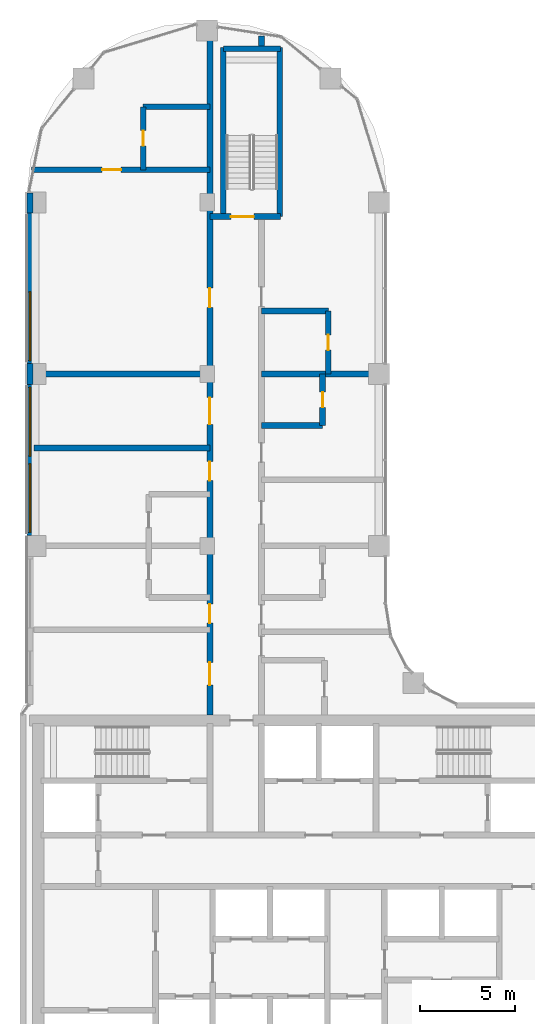
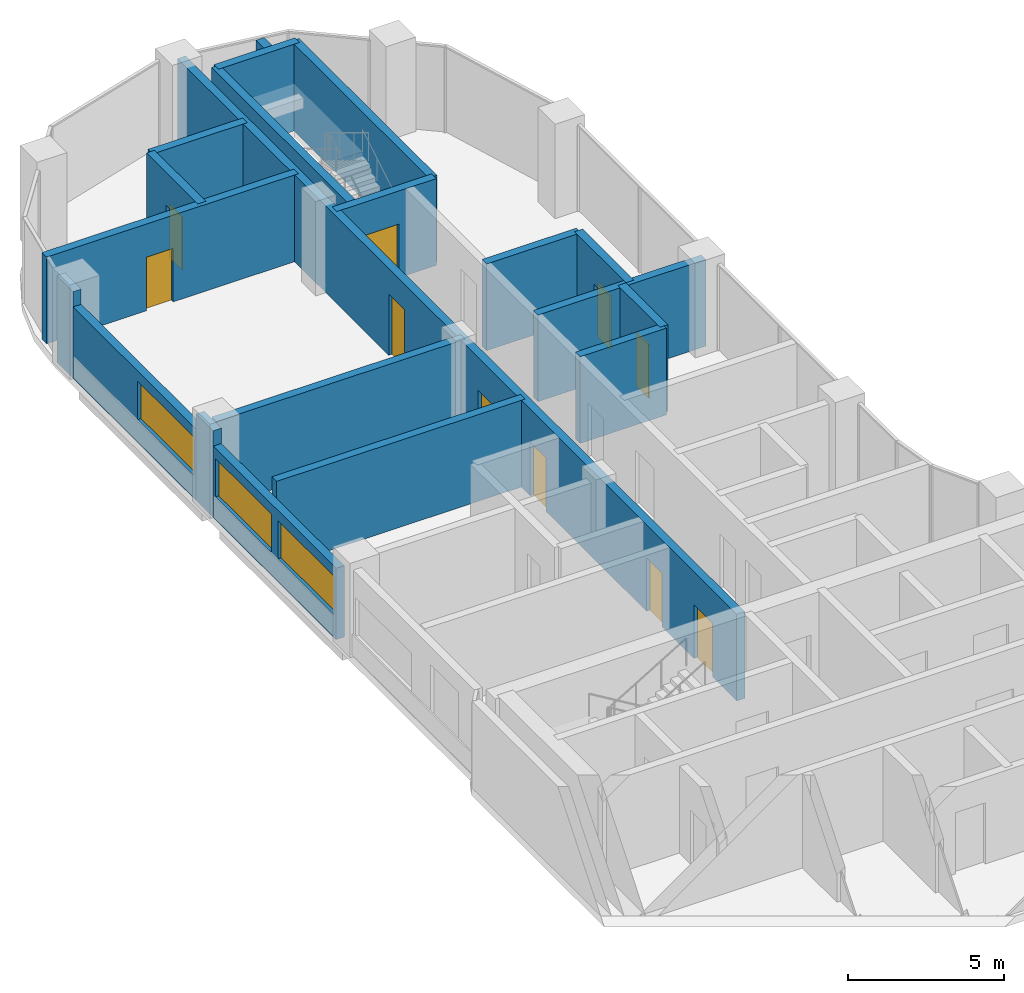
# One storey, part 13 of 21: 20 walls, 10 doors, 3 windows, 13 openings.
"""IFC4 building model written with IfcOpenShell, lengths in metres."""

from ifc_helpers import new_model, si_unit, direction, frame, frame_2d, origin, place, context, subcontext, project, spatial, rectangle, extrude, material, layer, layer_set, type_object, element, fill, save


model = new_model("IFC4")

# Units and contexts
model_context = context("Model", 3, precision=1e-05, world=origin(), true_north=direction((0.0, 1.0)))
body_context = subcontext(model_context, "Body", "Model", "MODEL_VIEW")
ifc_project = project(units=[si_unit("LENGTHUNIT", "METRE"), si_unit("AREAUNIT", "SQUARE_METRE"), si_unit("VOLUMEUNIT", "CUBIC_METRE"), si_unit("PLANEANGLEUNIT", "RADIAN"), si_unit("MASSUNIT", "GRAM", prefix="KILO")], contexts=[model_context])

# Site, building, storey
site_placement = place(None, origin())
site = spatial("IfcSite", under=ifc_project, at=site_placement, CompositionType="ELEMENT")
building_placement = place(site_placement, origin())
building = spatial("IfcBuilding", under=site, at=building_placement, Name="Ogive Portal Towers", CompositionType="ELEMENT")
storey_placement = place(building_placement, frame((0.0, 0.0, 157.0)))
storey = spatial("IfcBuildingStorey", under=building, at=storey_placement, Name="L38", CompositionType="ELEMENT", Elevation=157.0)

# Wall
ifc_material_1 = material(Name="Limestone cladding on lightweight block wall", Category="masonry")
ifc_layer_1 = layer(ifc_material_1, 0.300048828125)
ifc_layer_set_1 = layer_set([ifc_layer_1], Name="EXTERNAL WALL 300 STONE")
wall_type_1 = type_object("IfcWallType", Name="EXTERNAL WALL 300 STONE", PredefinedType="SOLIDWALL", material=ifc_layer_set_1)
wall_1_placement = place(storey_placement, frame((31.22509765625, 66.9921875, 0.0), z_axis=(0.0, 0.0, 1.0), x_axis=(0.0, -1.0, 0.0)))
element("IfcWall", 1, at=wall_1_placement, inside=storey, type_object=wall_type_1, Name="A:L38:f13:r0:wall", PredefinedType="SOLIDWALL", context=body_context, shape_type="SweptSolid", body=[
    extrude(rectangle(XDim=1.042236328125, YDim=0.300048828125, at=frame_2d((0.52099609375, 0.0))), origin(), (0.0, 0.0, 1.0), 3.39990234375),
])

# Wall, opening, window
wall_2_placement = place(storey_placement, frame((31.22509765625, 65.949951171875, 0.0), z_axis=(0.0, 0.0, 1.0), x_axis=(0.0, -1.0, 0.0)))
wall_2 = element("IfcWall", 2, at=wall_2_placement, inside=storey, type_object=wall_type_1, Name="A:L38:f13:r0:wall1", PredefinedType="SOLIDWALL", context=body_context, shape_type="SweptSolid", body=[
    extrude(rectangle(XDim=7.89990234375, YDim=0.300048828125, at=frame_2d((3.949951171875, 0.0))), origin(), (0.0, 0.0, 1.0), 2.800048828125),
])
opening_1_placement = place(wall_2_placement, frame((4.14990234375, 0.0, 0.89990234375)))
opening_1 = element("IfcOpeningElement", 3, at=opening_1_placement, cuts=wall_2, Name="Opening WN12", PredefinedType="OPENING", context=body_context, shape_type="SweptSolid", body=[
    extrude(rectangle(XDim=3.60009765625, YDim=1.5, at=frame_2d((1.800048828125, 0.75))), frame((0.0, 0.16015625, 0.0), z_axis=(0.0, -1.0, 0.0), x_axis=(1.0, 0.0, 0.0)), (0.0, 0.0, 1.0), 0.320068359375),
])
ifc_material_2 = material(Name="Glass, clear low-iron insulated glazing", Category="glass")
window_type = type_object("IfcWindowType", Name="WINDOW RIBBON 3600x1500", PartitioningType="TRIPLE_PANEL_VERTICAL", PredefinedType="WINDOW", material=ifc_material_2)
window_1_placement = place(opening_1_placement, origin())
window_1 = element("IfcWindow", 4, at=window_1_placement, inside=storey, type_object=window_type, Name="A:L38:f13:r0:w1", OverallHeight=1.5, OverallWidth=3.60009765625, PartitioningType="SINGLE_PANEL", PredefinedType="WINDOW", context=body_context, shape_type="SweptSolid", body=[
    extrude(rectangle(XDim=3.60009765625, YDim=1.5, at=frame_2d((1.800048828125, 0.75))), frame((0.0, 0.030029296875, 0.0), z_axis=(0.0, -1.0, 0.0), x_axis=(1.0, 0.0, 0.0)), (0.0, 0.0, 1.0), 0.06005859375),
])
fill(opening_1, window_1)

# Wall
wall_3_placement = place(storey_placement, frame((31.22509765625, 58.050048828125, 0.0), z_axis=(0.0, 0.0, 1.0), x_axis=(0.0, -1.0, 0.0)))
element("IfcWall", 5, at=wall_3_placement, inside=storey, type_object=wall_type_1, Name="A:L38:f13:r0:wall2", PredefinedType="SOLIDWALL", context=body_context, shape_type="SweptSolid", body=[
    extrude(rectangle(XDim=1.10009765625, YDim=0.300048828125, at=frame_2d((0.550048828125, 0.0))), origin(), (0.0, 0.0, 1.0), 3.39990234375),
])

# Wall, openings, windows
wall_4_placement = place(storey_placement, frame((31.22509765625, 56.949951171875, 0.0), z_axis=(0.0, 0.0, 1.0), x_axis=(0.0, -1.0, 0.0)))
wall_4 = element("IfcWall", 6, at=wall_4_placement, inside=storey, type_object=wall_type_1, Name="A:L38:f13:r0:wall3", PredefinedType="SOLIDWALL", context=body_context, shape_type="SweptSolid", body=[
    extrude(rectangle(XDim=7.89990234375, YDim=0.300048828125, at=frame_2d((3.949951171875, 0.0))), origin(), (0.0, 0.0, 1.0), 2.800048828125),
])
opening_2_placement = place(wall_4_placement, frame((0.14990234375, 0.0, 0.89990234375)))
opening_2 = element("IfcOpeningElement", 7, at=opening_2_placement, cuts=wall_4, Name="Opening WN12", PredefinedType="OPENING", context=body_context, shape_type="SweptSolid", body=[
    extrude(rectangle(XDim=3.60009765625, YDim=1.5, at=frame_2d((1.800048828125, 0.75))), frame((0.0, 0.16015625, 0.0), z_axis=(0.0, -1.0, 0.0), x_axis=(1.0, 0.0, 0.0)), (0.0, 0.0, 1.0), 0.320068359375),
])
opening_3_placement = place(wall_4_placement, frame((4.14990234375, 0.0, 0.89990234375)))
opening_3 = element("IfcOpeningElement", 8, at=opening_3_placement, cuts=wall_4, Name="Opening WN12", PredefinedType="OPENING", context=body_context, shape_type="SweptSolid", body=[
    extrude(rectangle(XDim=3.60009765625, YDim=1.5, at=frame_2d((1.800048828125, 0.75))), frame((0.0, 0.16015625, 0.0), z_axis=(0.0, -1.0, 0.0), x_axis=(1.0, 0.0, 0.0)), (0.0, 0.0, 1.0), 0.320068359375),
])
window_2_placement = place(opening_2_placement, origin())
window_2 = element("IfcWindow", 9, at=window_2_placement, inside=storey, type_object=window_type, Name="A:L38:f13:r0:w2", OverallHeight=1.5, OverallWidth=3.60009765625, PartitioningType="SINGLE_PANEL", PredefinedType="WINDOW", context=body_context, shape_type="SweptSolid", body=[
    extrude(rectangle(XDim=3.60009765625, YDim=1.5, at=frame_2d((1.800048828125, 0.75))), frame((0.0, 0.030029296875, 0.0), z_axis=(0.0, -1.0, 0.0), x_axis=(1.0, 0.0, 0.0)), (0.0, 0.0, 1.0), 0.06005859375),
])
fill(opening_2, window_2)
window_3_placement = place(opening_3_placement, origin())
window_3 = element("IfcWindow", 10, at=window_3_placement, inside=storey, type_object=window_type, Name="A:L38:f13:r0:w3", OverallHeight=1.5, OverallWidth=3.60009765625, PartitioningType="SINGLE_PANEL", PredefinedType="WINDOW", context=body_context, shape_type="SweptSolid", body=[
    extrude(rectangle(XDim=3.60009765625, YDim=1.5, at=frame_2d((1.800048828125, 0.75))), frame((0.0, 0.030029296875, 0.0), z_axis=(0.0, -1.0, 0.0), x_axis=(1.0, 0.0, 0.0)), (0.0, 0.0, 1.0), 0.06005859375),
])
fill(opening_3, window_3)

# Wall, opening, door
ifc_material_3 = material(Name="Concrete C50/60", Category="concrete")
ifc_layer_2 = layer(ifc_material_3, 0.300048828125)
ifc_layer_set_2 = layer_set([ifc_layer_2], Name="STAIR WALL 300 C50")
wall_type_2 = type_object("IfcWallType", Name="STAIR WALL 300 C50", PredefinedType="SHEAR", material=ifc_layer_set_2)
wall_5_placement = place(storey_placement, frame((40.64990234375, 65.75, 0.0), z_axis=(0.0, 0.0, 1.0), x_axis=(1.0, 0.0, 0.0)))
wall_5 = element("IfcWall", 11, at=wall_5_placement, inside=storey, type_object=wall_type_2, Name="Stair wall ST-A3 L38", PredefinedType="SHEAR", context=body_context, shape_type="SweptSolid", body=[
    extrude(rectangle(XDim=3.7001953125, YDim=0.300048828125, at=frame_2d((1.85009765625, 0.0))), origin(), (0.0, 0.0, 1.0), 3.39990234375),
])
opening_4_placement = place(wall_5_placement, frame((1.10009765625, 0.0, 0.0)))
opening_4 = element("IfcOpeningElement", 12, at=opening_4_placement, cuts=wall_5, Name="Opening D15-053", PredefinedType="OPENING", context=body_context, shape_type="SweptSolid", body=[
    extrude(rectangle(XDim=1.199951171875, YDim=2.10009765625, at=frame_2d((0.60009765625, 1.050048828125))), frame((0.0, 0.16015625, 0.0), z_axis=(0.0, -1.0, 0.0), x_axis=(1.0, 0.0, 0.0)), (0.0, 0.0, 1.0), 0.320068359375),
])
ifc_material_4 = material(Name="Steel fire door", Category="steel")
door_type_1 = type_object("IfcDoorType", Name="DT-STAIR-1200x2100-FD90S", OperationType="SINGLE_SWING_LEFT", PredefinedType="DOOR", material=ifc_material_4)
door_1_placement = place(opening_4_placement, origin())
door_1 = element("IfcDoor", 13, at=door_1_placement, inside=storey, type_object=door_type_1, Name="Door D15-053", OperationType="SINGLE_SWING_RIGHT", OverallHeight=2.10009765625, OverallWidth=1.199951171875, PredefinedType="DOOR", context=body_context, shape_type="SweptSolid", body=[
    extrude(rectangle(XDim=1.199951171875, YDim=2.10009765625, at=frame_2d((0.60009765625, 1.050048828125))), frame((0.0, 0.02490234375, 0.0), z_axis=(0.0, -1.0, 0.0), x_axis=(1.0, 0.0, 0.0)), (0.0, 0.0, 1.0), 0.050048828125),
])
fill(opening_4, door_1)

# Walls
wall_6_placement = place(storey_placement, frame((41.35009765625, 74.550048828125, 0.0), z_axis=(0.0, 0.0, 1.0), x_axis=(1.0, 0.0, 0.0)))
element("IfcWall", 14, at=wall_6_placement, inside=storey, type_object=wall_type_2, Name="Stair wall ST-A3 L38", PredefinedType="SHEAR", context=body_context, shape_type="SweptSolid", body=[
    extrude(rectangle(XDim=3.0, YDim=0.300048828125, at=frame_2d((1.5, 0.0))), origin(), (0.0, 0.0, 1.0), 3.39990234375),
])
for number, where, z_axis, x_axis, name in (
    (15, (41.35009765625, 65.75, 0.0), (0.0, 0.0, 1.0), (0.0, 1.0, 0.0), "Stair wall ST-A3 L38"),
    (16, (44.300048828125, 65.75, 0.0), (0.0, 0.0, 1.0), (0.0, 1.0, 0.0), "Stair wall ST-A3 L38"),
):
    element("IfcWall", number, at=place(storey_placement, frame(where, z_axis=z_axis, x_axis=x_axis)), inside=storey, type_object=wall_type_2, Name=name, PredefinedType="SHEAR", context=body_context, shape_type="SweptSolid", body=[
        extrude(rectangle(XDim=8.85009765625, YDim=0.300048828125, at=frame_2d((4.425048828125, 0.0))), origin(), (0.0, 0.0, 1.0), 3.39990234375),
    ])
ifc_material_5 = material(Name="Gypsum board partition on steel studs", Category="steel")
ifc_layer_3 = layer(ifc_material_5, 0.300048828125)
ifc_layer_set_3 = layer_set([ifc_layer_3], Name="WT-PART-300-EI 60")
wall_type_3 = type_object("IfcWallType", Name="WT-PART-300-EI 60", PredefinedType="PARTITIONING", material=ifc_layer_set_3)
wall_7_placement = place(storey_placement, frame((31.425048828125, 53.6298828125, 0.0), z_axis=(0.0, 0.0, 1.0), x_axis=(1.0, 0.0, 0.0)))
element("IfcWall", 17, at=wall_7_placement, inside=storey, type_object=wall_type_3, Name="Wall L38:w018", PredefinedType="PARTITIONING", context=body_context, shape_type="SweptSolid", body=[
    extrude(rectangle(XDim=9.224853515625, YDim=0.300048828125, at=frame_2d((4.6123046875, 0.0))), origin(), (0.0, 0.0, 1.0), 3.39990234375),
])
wall_8_placement = place(storey_placement, frame((43.35009765625, 54.800048828125, 0.0), z_axis=(0.0, 0.0, 1.0), x_axis=(1.0, 0.0, 0.0)))
element("IfcWall", 18, at=wall_8_placement, inside=storey, type_object=wall_type_3, Name="Wall L38:w019", PredefinedType="PARTITIONING", context=body_context, shape_type="SweptSolid", body=[
    extrude(rectangle(XDim=3.199951171875, YDim=0.300048828125, at=frame_2d((1.60009765625, 0.0))), origin(), (0.0, 0.0, 1.0), 3.39990234375),
])
wall_9_placement = place(storey_placement, frame((31.425048828125, 57.5, 0.0), z_axis=(0.0, 0.0, 1.0), x_axis=(1.0, 0.0, 0.0)))
element("IfcWall", 19, at=wall_9_placement, inside=storey, type_object=wall_type_3, Name="Wall L38:w020", PredefinedType="PARTITIONING", context=body_context, shape_type="SweptSolid", body=[
    extrude(rectangle(XDim=9.224853515625, YDim=0.300048828125, at=frame_2d((4.6123046875, 0.0))), origin(), (0.0, 0.0, 1.0), 3.39990234375),
])
wall_10_placement = place(storey_placement, frame((43.35009765625, 57.5, 0.0), z_axis=(0.0, 0.0, 1.0), x_axis=(1.0, 0.0, 0.0)))
element("IfcWall", 20, at=wall_10_placement, inside=storey, type_object=wall_type_3, Name="Wall L38:w021", PredefinedType="PARTITIONING", context=body_context, shape_type="SweptSolid", body=[
    extrude(rectangle(XDim=6.224853515625, YDim=0.300048828125, at=frame_2d((3.1123046875, 0.0))), origin(), (0.0, 0.0, 1.0), 3.39990234375),
])
wall_11_placement = place(storey_placement, frame((43.35009765625, 60.800048828125, 0.0), z_axis=(0.0, 0.0, 1.0), x_axis=(1.0, 0.0, 0.0)))
element("IfcWall", 21, at=wall_11_placement, inside=storey, type_object=wall_type_3, Name="Wall L38:w022", PredefinedType="PARTITIONING", context=body_context, shape_type="SweptSolid", body=[
    extrude(rectangle(XDim=3.5, YDim=0.300048828125, at=frame_2d((1.75, 0.0))), origin(), (0.0, 0.0, 1.0), 3.39990234375),
])

# Wall, opening, door
wall_12_placement = place(storey_placement, frame((31.303955078125, 68.199951171875, 0.0), z_axis=(0.0, 0.0, 1.0), x_axis=(1.0, 0.0, 0.0)))
wall_12 = element("IfcWall", 22, at=wall_12_placement, inside=storey, type_object=wall_type_3, Name="Wall L38:w024", PredefinedType="PARTITIONING", context=body_context, shape_type="SweptSolid", body=[
    extrude(rectangle(XDim=9.345947265625, YDim=0.300048828125, at=frame_2d((4.6728515625, 0.0))), origin(), (0.0, 0.0, 1.0), 3.39990234375),
])
opening_5_placement = place(wall_12_placement, frame((3.696044921875, 0.0, 0.0)))
opening_5 = element("IfcOpeningElement", 23, at=opening_5_placement, cuts=wall_12, Name="Opening D15-047", PredefinedType="OPENING", context=body_context, shape_type="SweptSolid", body=[
    extrude(rectangle(XDim=1.0, YDim=2.10009765625, at=frame_2d((0.5, 1.050048828125))), frame((0.0, 0.16015625, 0.0), z_axis=(0.0, -1.0, 0.0), x_axis=(1.0, 0.0, 0.0)), (0.0, 0.0, 1.0), 0.320068359375),
])
door_type_2 = type_object("IfcDoorType", Name="DT-ENTRY-1000x2100-FD60S", OperationType="SINGLE_SWING_LEFT", PredefinedType="DOOR", material=ifc_material_4)
door_2_placement = place(opening_5_placement, origin())
door_2 = element("IfcDoor", 24, at=door_2_placement, inside=storey, type_object=door_type_2, Name="Door D15-047", OperationType="SINGLE_SWING_LEFT", OverallHeight=2.10009765625, OverallWidth=1.0, PredefinedType="DOOR", context=body_context, shape_type="SweptSolid", body=[
    extrude(rectangle(XDim=1.0, YDim=2.10009765625, at=frame_2d((0.5, 1.050048828125))), frame((0.0, 0.02490234375, 0.0), z_axis=(0.0, -1.0, 0.0), x_axis=(1.0, 0.0, 0.0)), (0.0, 0.0, 1.0), 0.050048828125),
])
fill(opening_5, door_2)

# Wall
wall_13_placement = place(storey_placement, frame((37.14990234375, 71.5, 0.0), z_axis=(0.0, 0.0, 1.0), x_axis=(1.0, 0.0, 0.0)))
element("IfcWall", 25, at=wall_13_placement, inside=storey, type_object=wall_type_3, Name="Wall L38:w025", PredefinedType="PARTITIONING", context=body_context, shape_type="SweptSolid", body=[
    extrude(rectangle(XDim=3.5, YDim=0.300048828125, at=frame_2d((1.75, 0.0))), origin(), (0.0, 0.0, 1.0), 3.39990234375),
])

# Wall, opening, door
wall_14_placement = place(storey_placement, frame((37.14990234375, 68.199951171875, 0.0), z_axis=(0.0, 0.0, 1.0), x_axis=(0.0, 1.0, 0.0)))
wall_14 = element("IfcWall", 26, at=wall_14_placement, inside=storey, type_object=wall_type_3, Name="Wall L38:w027", PredefinedType="PARTITIONING", context=body_context, shape_type="SweptSolid", body=[
    extrude(rectangle(XDim=3.300048828125, YDim=0.300048828125, at=frame_2d((1.64990234375, 0.0))), origin(), (0.0, 0.0, 1.0), 3.39990234375),
])
opening_6_placement = place(wall_14_placement, frame((1.25, 0.0, 0.0)))
opening_6 = element("IfcOpeningElement", 27, at=opening_6_placement, cuts=wall_14, Name="Opening D15-048", PredefinedType="OPENING", context=body_context, shape_type="SweptSolid", body=[
    extrude(rectangle(XDim=0.800048828125, YDim=2.10009765625, at=frame_2d((0.39990234375, 1.050048828125))), frame((0.0, 0.16015625, 0.0), z_axis=(0.0, -1.0, 0.0), x_axis=(1.0, 0.0, 0.0)), (0.0, 0.0, 1.0), 0.320068359375),
])
door_type_3 = type_object("IfcDoorType", Name="DT-BATH-800x2100-FD60S", OperationType="SINGLE_SWING_LEFT", PredefinedType="DOOR", material=ifc_material_4)
door_3_placement = place(opening_6_placement, origin())
door_3 = element("IfcDoor", 28, at=door_3_placement, inside=storey, type_object=door_type_3, Name="Door D15-048", OperationType="SINGLE_SWING_LEFT", OverallHeight=2.10009765625, OverallWidth=0.800048828125, PredefinedType="DOOR", context=body_context, shape_type="SweptSolid", body=[
    extrude(rectangle(XDim=0.800048828125, YDim=2.10009765625, at=frame_2d((0.39990234375, 1.050048828125))), frame((0.0, 0.02490234375, 0.0), z_axis=(0.0, -1.0, 0.0), x_axis=(1.0, 0.0, 0.0)), (0.0, 0.0, 1.0), 0.050048828125),
])
fill(opening_6, door_3)

# Wall, openings, doors
wall_15_placement = place(storey_placement, frame((40.64990234375, 39.64990234375, 0.0), z_axis=(0.0, 0.0, 1.0), x_axis=(0.0, 1.0, 0.0)))
wall_15 = element("IfcWall", 29, at=wall_15_placement, inside=storey, type_object=wall_type_3, Name="Wall L38:w029", PredefinedType="PARTITIONING", context=body_context, shape_type="SweptSolid", body=[
    extrude(rectangle(XDim=35.925048828125, YDim=0.300048828125, at=frame_2d((17.96240234375, 0.0))), origin(), (0.0, 0.0, 1.0), 3.39990234375),
])
opening_7_placement = place(wall_15_placement, frame((1.550048828125, 0.0, 0.0)))
opening_7 = element("IfcOpeningElement", 30, at=opening_7_placement, cuts=wall_15, Name="Opening D15-035", PredefinedType="OPENING", context=body_context, shape_type="SweptSolid", body=[
    extrude(rectangle(XDim=1.199951171875, YDim=2.10009765625, at=frame_2d((0.60009765625, 1.050048828125))), frame((0.0, 0.16015625, 0.0), z_axis=(0.0, -1.0, 0.0), x_axis=(1.0, 0.0, 0.0)), (0.0, 0.0, 1.0), 0.320068359375),
])
opening_8_placement = place(wall_15_placement, frame((4.800048828125, 0.0, 0.0)))
opening_8 = element("IfcOpeningElement", 31, at=opening_8_placement, cuts=wall_15, Name="Opening D15-037", PredefinedType="OPENING", context=body_context, shape_type="SweptSolid", body=[
    extrude(rectangle(XDim=1.0, YDim=2.10009765625, at=frame_2d((0.5, 1.050048828125))), frame((0.0, 0.16015625, 0.0), z_axis=(0.0, -1.0, 0.0), x_axis=(1.0, 0.0, 0.0)), (0.0, 0.0, 1.0), 0.320068359375),
])
opening_9_placement = place(wall_15_placement, frame((12.264892578125, 0.0, 0.0)))
opening_9 = element("IfcOpeningElement", 32, at=opening_9_placement, cuts=wall_15, Name="Opening D15-042", PredefinedType="OPENING", context=body_context, shape_type="SweptSolid", body=[
    extrude(rectangle(XDim=1.0, YDim=2.10009765625, at=frame_2d((0.5, 1.050048828125))), frame((0.0, 0.16015625, 0.0), z_axis=(0.0, -1.0, 0.0), x_axis=(1.0, 0.0, 0.0)), (0.0, 0.0, 1.0), 0.320068359375),
])
opening_10_placement = place(wall_15_placement, frame((15.215087890625, 0.0, 0.0)))
opening_10 = element("IfcOpeningElement", 33, at=opening_10_placement, cuts=wall_15, Name="Opening D15-043", PredefinedType="OPENING", context=body_context, shape_type="SweptSolid", body=[
    extrude(rectangle(XDim=1.39990234375, YDim=2.10009765625, at=frame_2d((0.699951171875, 1.050048828125))), frame((0.0, 0.16015625, 0.0), z_axis=(0.0, -1.0, 0.0), x_axis=(1.0, 0.0, 0.0)), (0.0, 0.0, 1.0), 0.320068359375),
])
opening_11_placement = place(wall_15_placement, frame((21.35009765625, 0.0, 0.0)))
opening_11 = element("IfcOpeningElement", 34, at=opening_11_placement, cuts=wall_15, Name="Opening D15-046", PredefinedType="OPENING", context=body_context, shape_type="SweptSolid", body=[
    extrude(rectangle(XDim=1.0, YDim=2.39990234375, at=frame_2d((0.5, 1.199951171875))), frame((0.0, 0.16015625, 0.0), z_axis=(0.0, -1.0, 0.0), x_axis=(1.0, 0.0, 0.0)), (0.0, 0.0, 1.0), 0.320068359375),
])
door_4_placement = place(opening_8_placement, origin())
door_4 = element("IfcDoor", 35, at=door_4_placement, inside=storey, type_object=door_type_2, Name="Door D15-037", OperationType="SINGLE_SWING_LEFT", OverallHeight=2.10009765625, OverallWidth=1.0, PredefinedType="DOOR", context=body_context, shape_type="SweptSolid", body=[
    extrude(rectangle(XDim=1.0, YDim=2.10009765625, at=frame_2d((0.5, 1.050048828125))), frame((0.0, 0.02490234375, 0.0), z_axis=(0.0, -1.0, 0.0), x_axis=(1.0, 0.0, 0.0)), (0.0, 0.0, 1.0), 0.050048828125),
])
fill(opening_8, door_4)
door_5_placement = place(opening_9_placement, origin())
door_5 = element("IfcDoor", 36, at=door_5_placement, inside=storey, type_object=door_type_2, Name="Door D15-042", OperationType="SINGLE_SWING_LEFT", OverallHeight=2.10009765625, OverallWidth=1.0, PredefinedType="DOOR", context=body_context, shape_type="SweptSolid", body=[
    extrude(rectangle(XDim=1.0, YDim=2.10009765625, at=frame_2d((0.5, 1.050048828125))), frame((0.0, 0.02490234375, 0.0), z_axis=(0.0, -1.0, 0.0), x_axis=(1.0, 0.0, 0.0)), (0.0, 0.0, 1.0), 0.050048828125),
])
fill(opening_9, door_5)
door_type_4 = type_object("IfcDoorType", Name="DT-ENTRY-1000x2400-FD60S", OperationType="SINGLE_SWING_LEFT", PredefinedType="DOOR", material=ifc_material_4)
door_6_placement = place(opening_11_placement, origin())
door_6 = element("IfcDoor", 37, at=door_6_placement, inside=storey, type_object=door_type_4, Name="Door D15-046", OperationType="SINGLE_SWING_RIGHT", OverallHeight=2.39990234375, OverallWidth=1.0, PredefinedType="DOOR", context=body_context, shape_type="SweptSolid", body=[
    extrude(rectangle(XDim=1.0, YDim=2.39990234375, at=frame_2d((0.5, 1.199951171875))), frame((0.0, 0.02490234375, 0.0), z_axis=(0.0, -1.0, 0.0), x_axis=(1.0, 0.0, 0.0)), (0.0, 0.0, 1.0), 0.050048828125),
])
fill(opening_11, door_6)
door_type_5 = type_object("IfcDoorType", Name="DT-ENTRY-1200x2100-FD60S", OperationType="SINGLE_SWING_LEFT", PredefinedType="DOOR", material=ifc_material_4)
door_7_placement = place(opening_7_placement, origin())
door_7 = element("IfcDoor", 38, at=door_7_placement, inside=storey, type_object=door_type_5, Name="Door D15-035", OperationType="SINGLE_SWING_LEFT", OverallHeight=2.10009765625, OverallWidth=1.199951171875, PredefinedType="DOOR", context=body_context, shape_type="SweptSolid", body=[
    extrude(rectangle(XDim=1.199951171875, YDim=2.10009765625, at=frame_2d((0.60009765625, 1.050048828125))), frame((0.0, 0.02490234375, 0.0), z_axis=(0.0, -1.0, 0.0), x_axis=(1.0, 0.0, 0.0)), (0.0, 0.0, 1.0), 0.050048828125),
])
fill(opening_7, door_7)
door_type_6 = type_object("IfcDoorType", Name="DT-ENTRY-1400x2100-FD60S", OperationType="SINGLE_SWING_LEFT", PredefinedType="DOOR", material=ifc_material_4)
door_8_placement = place(opening_10_placement, origin())
door_8 = element("IfcDoor", 39, at=door_8_placement, inside=storey, type_object=door_type_6, Name="Door D15-043", OperationType="SINGLE_SWING_RIGHT", OverallHeight=2.10009765625, OverallWidth=1.39990234375, PredefinedType="DOOR", context=body_context, shape_type="SweptSolid", body=[
    extrude(rectangle(XDim=1.39990234375, YDim=2.10009765625, at=frame_2d((0.699951171875, 1.050048828125))), frame((0.0, 0.02490234375, 0.0), z_axis=(0.0, -1.0, 0.0), x_axis=(1.0, 0.0, 0.0)), (0.0, 0.0, 1.0), 0.050048828125),
])
fill(opening_10, door_8)

# Wall, opening, door
wall_16_placement = place(storey_placement, frame((46.550048828125, 54.800048828125, 0.0), z_axis=(0.0, 0.0, 1.0), x_axis=(0.0, 1.0, 0.0)))
wall_16 = element("IfcWall", 40, at=wall_16_placement, inside=storey, type_object=wall_type_3, Name="Wall L38:w035", PredefinedType="PARTITIONING", context=body_context, shape_type="SweptSolid", body=[
    extrude(rectangle(XDim=2.699951171875, YDim=0.300048828125, at=frame_2d((1.35009765625, 0.0))), origin(), (0.0, 0.0, 1.0), 3.39990234375),
])
opening_12_placement = place(wall_16_placement, frame((0.949951171875, 0.0, 0.0)))
opening_12 = element("IfcOpeningElement", 41, at=opening_12_placement, cuts=wall_16, Name="Opening D15-039", PredefinedType="OPENING", context=body_context, shape_type="SweptSolid", body=[
    extrude(rectangle(XDim=0.800048828125, YDim=2.10009765625, at=frame_2d((0.39990234375, 1.050048828125))), frame((0.0, 0.16015625, 0.0), z_axis=(0.0, -1.0, 0.0), x_axis=(1.0, 0.0, 0.0)), (0.0, 0.0, 1.0), 0.320068359375),
])
door_9_placement = place(opening_12_placement, origin())
door_9 = element("IfcDoor", 42, at=door_9_placement, inside=storey, type_object=door_type_3, Name="Door D15-039", OperationType="SINGLE_SWING_RIGHT", OverallHeight=2.10009765625, OverallWidth=0.800048828125, PredefinedType="DOOR", context=body_context, shape_type="SweptSolid", body=[
    extrude(rectangle(XDim=0.800048828125, YDim=2.10009765625, at=frame_2d((0.39990234375, 1.050048828125))), frame((0.0, 0.02490234375, 0.0), z_axis=(0.0, -1.0, 0.0), x_axis=(1.0, 0.0, 0.0)), (0.0, 0.0, 1.0), 0.050048828125),
])
fill(opening_12, door_9)

wall_17_placement = place(storey_placement, frame((46.85009765625, 57.5, 0.0), z_axis=(0.0, 0.0, 1.0), x_axis=(0.0, 1.0, 0.0)))
wall_17 = element("IfcWall", 43, at=wall_17_placement, inside=storey, type_object=wall_type_3, Name="Wall L38:w037", PredefinedType="PARTITIONING", context=body_context, shape_type="SweptSolid", body=[
    extrude(rectangle(XDim=3.300048828125, YDim=0.300048828125, at=frame_2d((1.64990234375, 0.0))), origin(), (0.0, 0.0, 1.0), 3.39990234375),
])
opening_13_placement = place(wall_17_placement, frame((1.25, 0.0, 0.0)))
opening_13 = element("IfcOpeningElement", 44, at=opening_13_placement, cuts=wall_17, Name="Opening D15-044", PredefinedType="OPENING", context=body_context, shape_type="SweptSolid", body=[
    extrude(rectangle(XDim=0.800048828125, YDim=2.10009765625, at=frame_2d((0.39990234375, 1.050048828125))), frame((0.0, 0.16015625, 0.0), z_axis=(0.0, -1.0, 0.0), x_axis=(1.0, 0.0, 0.0)), (0.0, 0.0, 1.0), 0.320068359375),
])
door_10_placement = place(opening_13_placement, origin())
door_10 = element("IfcDoor", 45, at=door_10_placement, inside=storey, type_object=door_type_3, Name="Door D15-044", OperationType="SINGLE_SWING_LEFT", OverallHeight=2.10009765625, OverallWidth=0.800048828125, PredefinedType="DOOR", context=body_context, shape_type="SweptSolid", body=[
    extrude(rectangle(XDim=0.800048828125, YDim=2.10009765625, at=frame_2d((0.39990234375, 1.050048828125))), frame((0.0, 0.02490234375, 0.0), z_axis=(0.0, -1.0, 0.0), x_axis=(1.0, 0.0, 0.0)), (0.0, 0.0, 1.0), 0.050048828125),
])
fill(opening_13, door_10)

# Wall
ifc_material_6 = material(Name="Concrete C40/50", Category="concrete")
ifc_layer_4 = layer(ifc_material_6, 0.300048828125)
ifc_layer_set_4 = layer_set([ifc_layer_4], Name="WT-SHAFT-300")
wall_type_4 = type_object("IfcWallType", Name="WT-SHAFT-300", PredefinedType="SOLIDWALL", material=ifc_layer_set_4)
wall_18_placement = place(storey_placement, frame((43.35009765625, 74.698974609375, 0.0), z_axis=(0.0, 0.0, 1.0), x_axis=(0.0, 1.0, 0.0)))
element("IfcWall", 46, at=wall_18_placement, inside=storey, type_object=wall_type_4, Name="Wall L38:w032", PredefinedType="SOLIDWALL", context=body_context, shape_type="SweptSolid", body=[
    extrude(rectangle(XDim=0.50390625, YDim=0.300048828125, at=frame_2d((0.251953125, 0.0))), origin(), (0.0, 0.0, 1.0), 3.39990234375),
])

save(model, "model.ifc")
